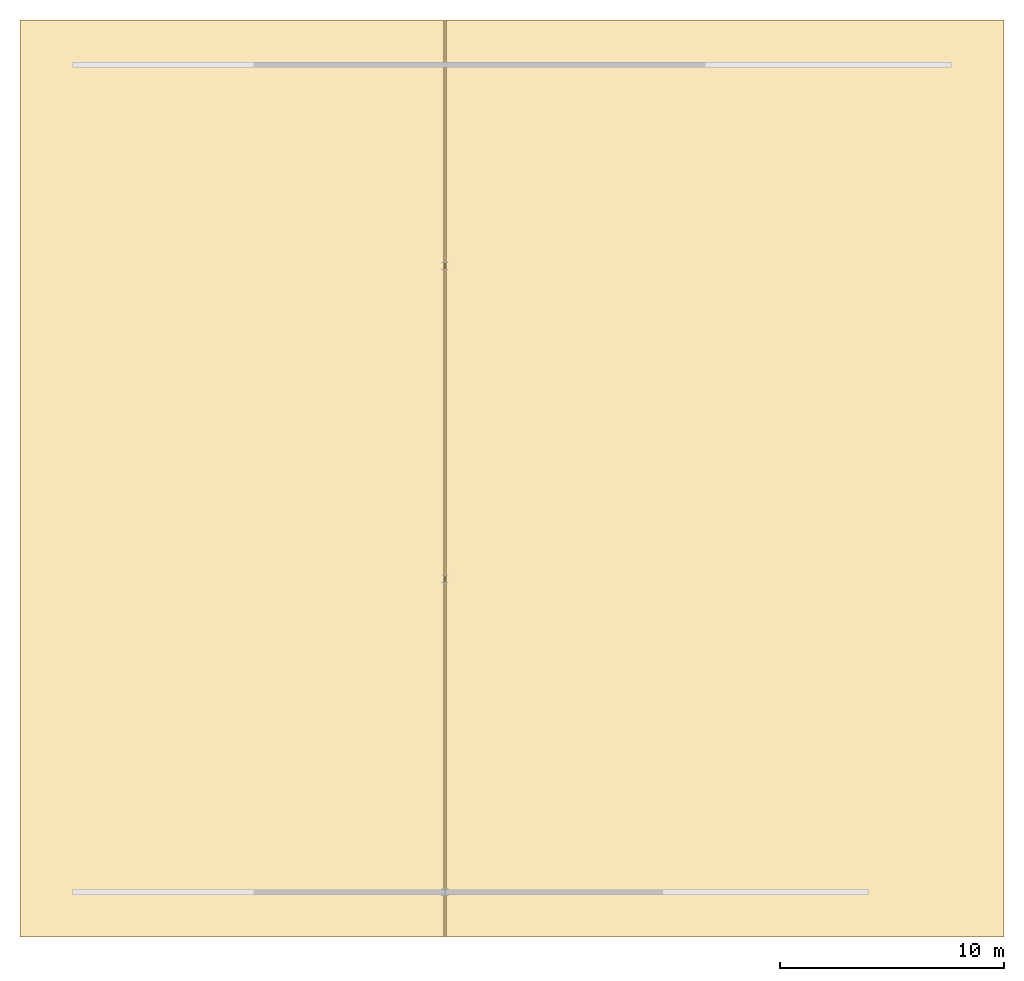
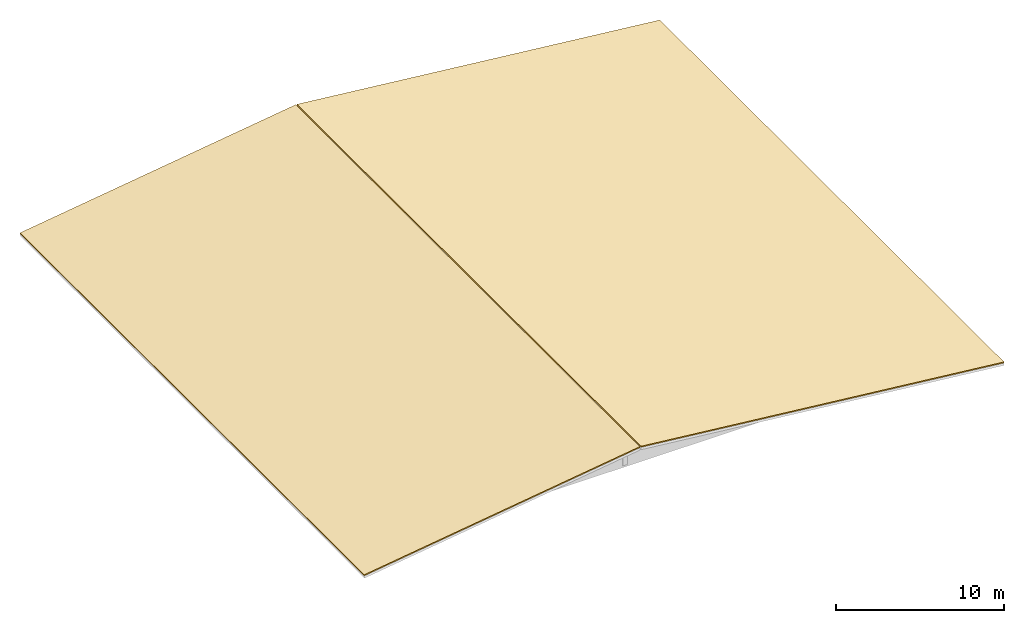
# One storey, part 3 of 3: 2 coverings.
"""IFC4 building model written with IfcOpenShell, lengths in metres."""

from ifc_helpers import new_model, si_unit, direction, frame, origin, place, context, subcontext, project, spatial, polyline, outline, extrude, material, layer, layer_set, type_object, element, save


model = new_model("IFC4")

# Units and contexts
model_context = context("Model", 3, precision=1e-05, world=origin(), true_north=direction((0.0, 1.0)))
body_context = subcontext(model_context, "Body", "Model", "MODEL_VIEW")
ifc_project = project(units=[si_unit("LENGTHUNIT", "METRE"), si_unit("AREAUNIT", "SQUARE_METRE"), si_unit("VOLUMEUNIT", "CUBIC_METRE"), si_unit("PLANEANGLEUNIT", "RADIAN"), si_unit("MASSUNIT", "GRAM", prefix="KILO")], contexts=[model_context])

# Site, building, storey
site_placement = place(None, origin())
site = spatial("IfcSite", under=ifc_project, at=site_placement, CompositionType="ELEMENT")
building_placement = place(site_placement, origin())
building = spatial("IfcBuilding", under=site, at=building_placement, Name="Larkveld Mobility Hub", CompositionType="ELEMENT")
storey_placement = place(building_placement, frame((0.0, 0.0, 27.0)))
storey = spatial("IfcBuildingStorey", under=building, at=storey_placement, Name="RF", CompositionType="ELEMENT", Elevation=27.0)

# Coverings
ifc_material = material(Name="Standing-seam zinc-alume roofing", Category="aluminium")
ifc_layer = layer(ifc_material, 0.080078125, Name="Standing-seam zinc-alume roofing", Category="aluminium")
ifc_layer_set = layer_set([ifc_layer], Name="Standing-seam zinc-alume roofing")
covering_type = type_object("IfcCoveringType", Name="COV-RFG-01", PredefinedType="ROOFING", material=ifc_layer_set)
covering_1_placement = place(storey_placement, frame((110.0, 26.0, -0.199951171875), z_axis=(-0.140055726182, 0.0, 0.990143622695), x_axis=(0.990143622695, 0.0, 0.140055726182)))
element("IfcCovering", 1, at=covering_1_placement, inside=storey, type_object=covering_type, Name="Sports Pavilion Standing-Seam Roof 1", PredefinedType="ROOFING", context=body_context, shape_type="SweptSolid", body=[
    extrude(outline(polyline([(0.0, 0.0), (19.148697727198513, 0.0), (19.148697727198513, 41.0), (0.0, 41.0), (0.0, 0.0)])), origin(), (0.0, 0.0, -1.0), 0.080078125),
])
covering_2_placement = place(storey_placement, frame((129.0400390625, 67.0, 2.48193359375), z_axis=(0.103956547024, 0.0, 0.994581839936), x_axis=(0.994581839936, 0.0, -0.103956547024)))
element("IfcCovering", 2, at=covering_2_placement, inside=storey, type_object=covering_type, Name="Sports Pavilion Standing-Seam Roof 2", PredefinedType="ROOFING", context=body_context, shape_type="SweptSolid", body=[
    extrude(outline(polyline([(0.0, 0.0), (25.095934728812075, 0.0), (25.095934728812075, -41.0), (0.0, -41.0), (0.0, 0.0)])), origin(), (0.0, 0.0, -1.0), 0.080078125),
])

save(model, "model.ifc")
